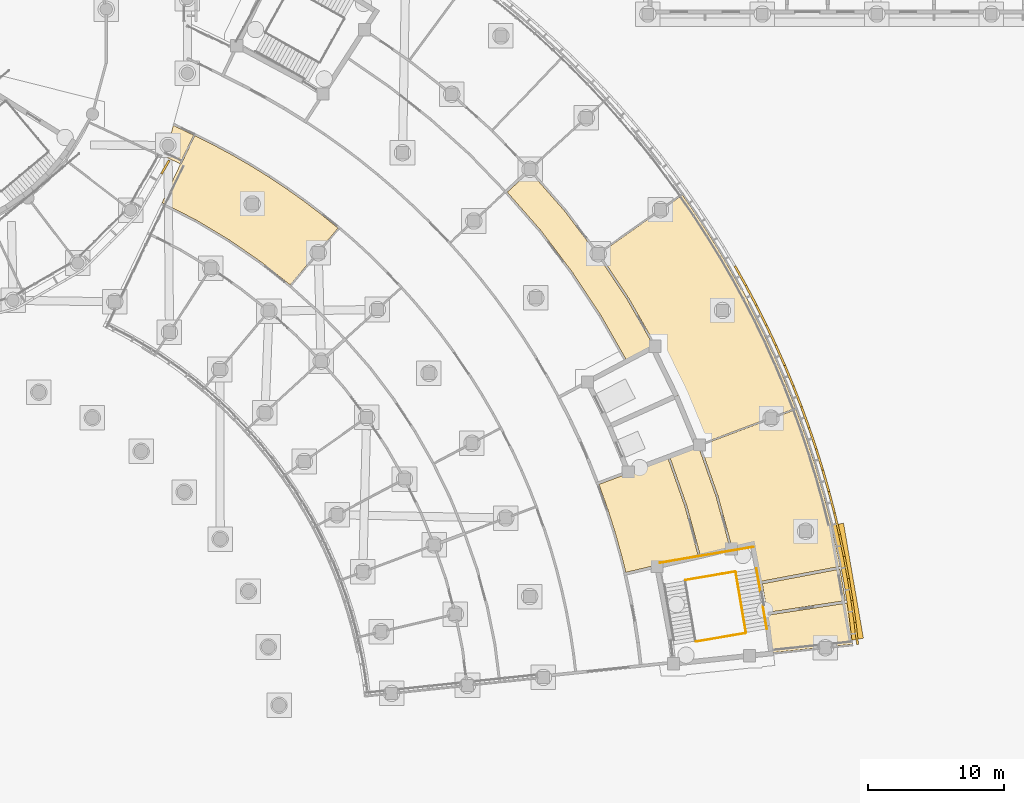
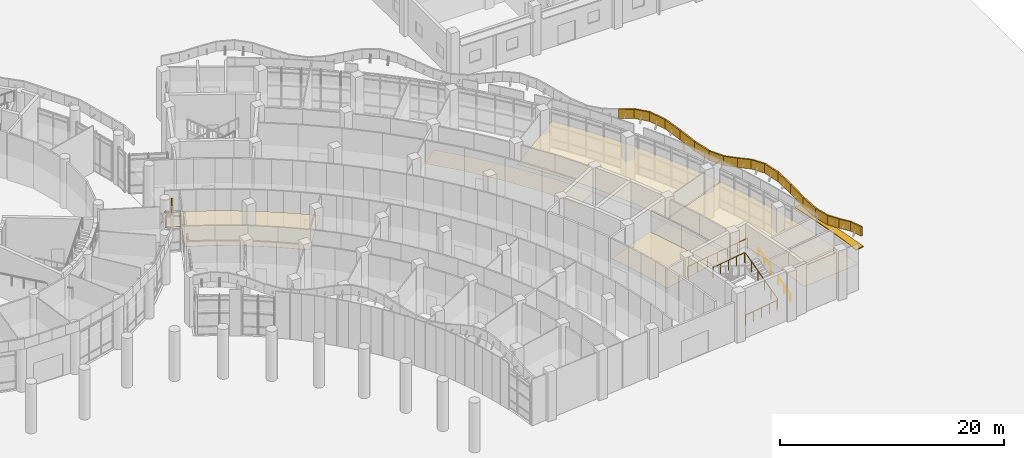
# One storey, part 133 of 146: 28 coverings, 6 railings, 1 shading device.
"""IFC4 building model written with IfcOpenShell, lengths in metres."""

from ifc_helpers import new_model, si_unit, direction, frame, origin, origin_2d, place, context, subcontext, project, spatial, polyline, circle, outline, extrude, material, layer, layer_set, type_object, element, save


model = new_model("IFC4")

# Units and contexts
model_context = context("Model", 3, precision=1e-05, world=origin(), true_north=direction((0.0, 1.0)))
body_context = subcontext(model_context, "Body", "Model", "MODEL_VIEW")
ifc_project = project(units=[si_unit("LENGTHUNIT", "METRE"), si_unit("AREAUNIT", "SQUARE_METRE"), si_unit("VOLUMEUNIT", "CUBIC_METRE"), si_unit("PLANEANGLEUNIT", "RADIAN"), si_unit("MASSUNIT", "GRAM", prefix="KILO")], contexts=[model_context])

# Site, building, storey
site_placement = place(None, origin())
site = spatial("IfcSite", under=ifc_project, at=site_placement, CompositionType="ELEMENT")
building_placement = place(site_placement, origin())
building = spatial("IfcBuilding", under=site, at=building_placement, Name="Bougainvillea Quay General Hospital", CompositionType="ELEMENT")
storey_placement = place(building_placement, origin())
storey = spatial("IfcBuildingStorey", under=building, at=storey_placement, Name="L00", CompositionType="ELEMENT", Elevation=0.0)

# Coverings
ifc_material_1 = material(Name="Powder-coated aluminium fascia, white", Category="aluminium")
ifc_layer_1 = layer(ifc_material_1, 0.14990234375)
ifc_layer_set_1 = layer_set([ifc_layer_1], Name="Powder-coated aluminium fascia, white")
covering_type_1 = type_object("IfcCoveringType", Name="Aluminium fascia band white 150x1100", PredefinedType="CLADDING", material=ifc_layer_set_1)
covering_1_placement = place(storey_placement, frame((128.05615234375, 63.919921875, 4.85009765625), z_axis=(0.0, 0.0, 1.0), x_axis=(0.499894466757, 0.866086324858, 0.0)))
element("IfcCovering", 1, at=covering_1_placement, inside=storey, type_object=covering_type_1, Name="Fascia band white e1 42", PredefinedType="CLADDING", context=body_context, shape_type="SweptSolid", body=[
    extrude(outline(polyline([(0.0, 0.0), (1.1467264105144213, 0.0), (1.1467399248169607, -0.14995740383758843), (1.351430253937469e-05, -0.1499574038375884), (0.0, 0.0)])), origin(), (0.0, 0.0, 1.0), 1.10009765625),
])
ifc_material_2 = material(Name="Powder-coated aluminium fascia, red", Category="aluminium")
ifc_layer_2 = layer(ifc_material_2, 0.14990234375)
ifc_layer_set_2 = layer_set([ifc_layer_2], Name="Powder-coated aluminium fascia, red")
covering_type_2 = type_object("IfcCoveringType", Name="Aluminium wave fascia ribbon red 150x1000", PredefinedType="CLADDING", material=ifc_layer_set_2)
covering_2_placement = place(storey_placement, frame((179.114990234375, 29.351806640625, 5.67919921875), z_axis=(-0.024847866265, 0.2086138615, 0.977682382132), x_axis=(-0.113501917288, 0.971071757644, -0.210087972711)))
element("IfcCovering", 2, at=covering_2_placement, inside=storey, type_object=covering_type_2, Name="Fascia ribbon red a23 1", PredefinedType="CLADDING", context=body_context, shape_type="SweptSolid", body=[
    extrude(outline(polyline([(0.0, 0.0), (1.6648788398426373, 4.7460950100552957e-17), (1.6667559363466942, -0.1501579498481428), (-7.081903155474467e-05, -0.1499311281894872), (0.0, 0.0)])), origin(), (-0.210087972711, -0.000450987914, 0.977682382132), 1.0),
])
covering_3_placement = place(storey_placement, frame((178.926025390625, 30.968505859375, 5.328857421875), z_axis=(-0.048025355486, 0.339807311783, 0.939268095961), x_axis=(-0.130588688823, 0.930145815351, -0.343184143771)))
element("IfcCovering", 3, at=covering_3_placement, inside=storey, type_object=covering_type_2, Name="Fascia ribbon red a23 2", PredefinedType="CLADDING", context=body_context, shape_type="SweptSolid", body=[
    extrude(outline(polyline([(0.0, 0.0), (1.7367686150003805, -5.865533753146579e-17), (1.7387866274864954, -0.14991080137799934), (-0.0017595540041232228, -0.15016095793298084), (0.0, 0.0)])), origin(), (-0.343184143771, -0.000295592138, 0.939268095961), 1.0),
])
covering_4_placement = place(storey_placement, frame((178.69921875, 32.583984375, 4.732177734375), z_axis=(-0.04747635623, 0.289152481161, 0.956105035149), x_axis=(-0.154954864711, 0.943464799723, -0.293024165531)))
element("IfcCovering", 4, at=covering_4_placement, inside=storey, type_object=covering_type_2, Name="Fascia ribbon red a23 3", PredefinedType="CLADDING", context=body_context, shape_type="SweptSolid", body=[
    extrude(outline(polyline([(0.0, 0.0), (1.7063321530434803, -9.020562075079397e-17), (1.7080034479535438, -0.14994650069785082), (-0.0016849181729323508, -0.1499139479563496), (0.0, 0.0)])), origin(), (-0.293024165531, 1.3312677e-05, 0.956105035149), 1.0),
])
covering_5_placement = place(storey_placement, frame((178.434814453125, 34.19384765625, 4.23193359375), z_axis=(-0.012380657146, 0.070278785852, 0.997450555961), x_axis=(-0.184377594412, 0.980261796261, -0.071356243389)))
element("IfcCovering", 5, at=covering_5_placement, inside=storey, type_object=covering_type_2, Name="Fascia ribbon red a23 4", PredefinedType="CLADDING", context=body_context, shape_type="SweptSolid", body=[
    extrude(outline(polyline([(0.0, 0.0), (1.6353060467984661, -9.608741753652783e-18), (1.6371379179314511, -0.15014046969464723), (-0.0018654038611861101, -0.14994341620119297), (0.0, 0.0)])), origin(), (-0.071356243389, 0.000821548261, 0.997450555961), 1.0),
])
covering_6_placement = place(storey_placement, frame((178.13330078125, 35.796875, 4.115234375), z_axis=(0.041738978288, -0.195977546491, 0.97971968387), x_axis=(-0.203376757563, 0.958378095696, 0.200372952698)))
element("IfcCovering", 6, at=covering_6_placement, inside=storey, type_object=covering_type_2, Name="Fascia ribbon red a23 5", PredefinedType="CLADDING", context=body_context, shape_type="SweptSolid", body=[
    extrude(outline(polyline([(0.0, 0.0), (1.6650274957393338, 2.642742795433417e-19), (1.666921718906262, -0.14989649376142436), (-0.001677931685463188, -0.1501422244201772), (0.0, 0.0)])), origin(), (0.200372952698, 0.000144444567, 0.97971968387), 1.0),
])
covering_7_placement = place(storey_placement, frame((177.794677734375, 37.392578125, 4.449462890625), z_axis=(0.078592949535, -0.332145468708, 0.939948155964), x_axis=(-0.216468731747, 0.914682362468, 0.34131724827)))
element("IfcCovering", 7, at=covering_7_placement, inside=storey, type_object=covering_type_2, Name="Fascia ribbon red a23 6", PredefinedType="CLADDING", context=body_context, shape_type="SweptSolid", body=[
    extrude(outline(polyline([(0.0, 0.0), (1.7356836976533712, 1.0393433075989167e-16), (1.7374329917298645, -0.15015548002051649), (-0.001759424591766695, -0.14989970466027527), (0.0, 0.0)])), origin(), (0.34131724827, -1.1523612e-05, 0.939948155964), 1.0),
])
covering_8_placement = place(storey_placement, frame((177.4189453125, 38.980224609375, 5.04248046875), z_axis=(0.075320437459, -0.28913329218, 0.954321104794), x_axis=(-0.241257851947, 0.923321972178, 0.298782838475)))
element("IfcCovering", 8, at=covering_8_placement, inside=storey, type_object=covering_type_2, Name="Fascia ribbon red a23 7", PredefinedType="CLADDING", context=body_context, shape_type="SweptSolid", body=[
    extrude(outline(polyline([(0.0, 0.0), (1.709202011276128, -1.83772268236293e-17), (1.7109378069218992, -0.15007131386424535), (-0.0019474734880621626, -0.15015210131491222), (0.0, 0.0)])), origin(), (0.298782838475, -0.000210662138, 0.954321104794), 1.0),
])
covering_9_placement = place(storey_placement, frame((177.006591796875, 40.558349609375, 5.553466796875), z_axis=(0.02283246965, -0.079778540404, 0.996551083899), x_axis=(-0.274128190322, 0.958106360553, 0.082981546976)))
element("IfcCovering", 9, at=covering_9_placement, inside=storey, type_object=covering_type_2, Name="Fascia ribbon red a23 8", PredefinedType="CLADDING", context=body_context, shape_type="SweptSolid", body=[
    extrude(outline(polyline([(0.0, 0.0), (1.6369491200367212, 3.20169983732653e-17), (1.6387653660201271, -0.14983637891848203), (-0.0017931607547173115, -0.15006978383307026), (0.0, 0.0)])), origin(), (0.082981546976, 6.387491e-06, 0.996551083899), 1.0),
])
covering_10_placement = place(storey_placement, frame((176.557861328125, 42.126708984375, 5.689208984375), z_axis=(-0.057657121616, 0.181946803284, 0.981616532614), x_axis=(-0.291930006762, 0.937202611975, -0.190861560453)))
element("IfcCovering", 10, at=covering_10_placement, inside=storey, type_object=covering_type_2, Name="Fascia ribbon red a23 9", PredefinedType="CLADDING", context=body_context, shape_type="SweptSolid", body=[
    extrude(outline(polyline([(0.0, 0.0), (1.6617210820935506, 4.174178364069192e-18), (1.6636186001323174, -0.14992233996118112), (-0.0017306902805842251, -0.1498382611154719), (0.0, 0.0)])), origin(), (-0.190861560453, -0.000920673465, 0.981616532614), 1.0),
])
covering_11_placement = place(storey_placement, frame((176.07275390625, 43.68408203125, 5.37158203125), z_axis=(-0.108469594029, 0.321268721246, 0.940755417694), x_axis=(-0.30057437743, 0.89144591331, -0.339085870062)))
element("IfcCovering", 11, at=covering_11_placement, inside=storey, type_object=covering_type_2, Name="Fascia ribbon red a23 10", PredefinedType="CLADDING", context=body_context, shape_type="SweptSolid", body=[
    extrude(outline(polyline([(0.0, 0.0), (1.734101707519636, -2.5099280293039428e-17), (1.7359688069099306, -0.15001428183356486), (-0.0017524342042170118, -0.1499256445190418), (0.0, 0.0)])), origin(), (-0.339085870062, -0.000129630439, 0.940755417694), 1.0),
])
covering_12_placement = place(storey_placement, frame((175.551513671875, 45.22998046875, 4.783203125), z_axis=(-0.104003444039, 0.286009471107, 0.952565937909), x_axis=(-0.325200818325, 0.895335861776, -0.304332256553)))
element("IfcCovering", 12, at=covering_12_placement, inside=storey, type_object=covering_type_2, Name="Fascia ribbon red a23 11", PredefinedType="CLADDING", context=body_context, shape_type="SweptSolid", body=[
    extrude(outline(polyline([(0.0, 0.0), (1.7124613394270112, -2.6291902682773483e-17), (1.714391533758437, -0.1500333761900524), (-0.001824208789350895, -0.15001384401359194), (0.0, 0.0)])), origin(), (-0.304332256553, -0.000107499144, 0.952565937909), 1.0),
])
covering_13_placement = place(storey_placement, frame((174.99462890625, 46.76318359375, 4.26171875), z_axis=(-0.034369138517, 0.088037278753, 0.995524083017), x_axis=(-0.361442215091, 0.927592436708, -0.094508182254)))
element("IfcCovering", 13, at=covering_13_placement, inside=storey, type_object=covering_type_2, Name="Fascia ribbon red a23 12", PredefinedType="CLADDING", context=body_context, shape_type="SweptSolid", body=[
    extrude(outline(polyline([(0.0, 0.0), (1.6386639434329502, -1.0489994831976157e-16), (1.640475150958146, -0.15005134835922404), (-0.0016201716537988557, -0.1500364511093289), (0.0, 0.0)])), origin(), (-0.094508182254, -6.0163902e-05, 0.995524083017), 1.0),
])
covering_14_placement = place(storey_placement, frame((174.40234375, 48.283203125, 4.10693359375), z_axis=(0.069623926278, -0.167067983774, 0.983484009879), x_axis=(-0.378263081172, 0.907831393615, 0.180995033602)))
element("IfcCovering", 14, at=covering_14_placement, inside=storey, type_object=covering_type_2, Name="Fascia ribbon red a23 13", PredefinedType="CLADDING", context=body_context, shape_type="SweptSolid", body=[
    extrude(outline(polyline([(0.0, 0.0), (1.6587558705474303, -1.0080369698683977e-16), (1.6604808175249182, -0.1501464851498133), (-0.0017064772388367098, -0.15005258337905428), (0.0, 0.0)])), origin(), (0.180995033602, 1.1135714e-05, 0.983484009879), 1.0),
])
covering_15_placement = place(storey_placement, frame((173.77490234375, 49.7890625, 4.40771484375), z_axis=(0.137263583654, -0.307299813581, 0.941661050047), x_axis=(-0.382235630159, 0.860593923671, 0.336562062)))
element("IfcCovering", 15, at=covering_15_placement, inside=storey, type_object=covering_type_2, Name="Fascia ribbon red a23 14", PredefinedType="CLADDING", context=body_context, shape_type="SweptSolid", body=[
    extrude(outline(polyline([(0.0, 0.0), (1.7322069655716972, -2.3310346708438345e-18), (1.7339929644302543, -0.1500953611869495), (-0.001916136175298956, -0.15014576944040897), (0.0, 0.0)])), origin(), (0.336562062, 0.000667268142, 0.941661050047), 1.0),
])
covering_16_placement = place(storey_placement, frame((173.11279296875, 51.27978515625, 4.9912109375), z_axis=(0.131495998975, -0.280081871001, 0.950927414575), x_axis=(-0.406032710856, 0.859884183713, 0.309413361566)))
element("IfcCovering", 16, at=covering_16_placement, inside=storey, type_object=covering_type_2, Name="Fascia ribbon red a23 15", PredefinedType="CLADDING", context=body_context, shape_type="SweptSolid", body=[
    extrude(outline(polyline([(0.0, 0.0), (1.7154531762961753, 3.0899761915836876e-18), (1.7174324314501688, -0.14990478250355443), (-0.0018214748684891374, -0.15009493361305823), (0.0, 0.0)])), origin(), (0.309413361566, -0.000651071604, 0.950927414575), 1.0),
])
covering_17_placement = place(storey_placement, frame((172.416259765625, 52.7548828125, 5.5224609375), z_axis=(0.047473521765, -0.094602408162, 0.99438254666), x_axis=(-0.445415581153, 0.88904533849, 0.105845860455)))
element("IfcCovering", 17, at=covering_17_placement, inside=storey, type_object=covering_type_2, Name="Fascia ribbon red a23 16", PredefinedType="CLADDING", context=body_context, shape_type="SweptSolid", body=[
    extrude(outline(polyline([(0.0, 0.0), (1.640513206375313, -3.004764677089905e-17), (1.6423734905562186, -0.15001897763665514), (-0.0016655396980485503, -0.14990699655169315), (0.0, 0.0)])), origin(), (0.105845860455, 6.8726616e-05, 0.99438254666), 1.0),
])
covering_18_placement = place(storey_placement, frame((171.685546875, 54.21337890625, 5.696044921875), z_axis=(-0.0802970135, 0.150991784485, 0.98526842568), x_axis=(-0.461557268821, 0.870470447627, -0.171014874812)))
element("IfcCovering", 18, at=covering_18_placement, inside=storey, type_object=covering_type_2, Name="Fascia ribbon red a23 17", PredefinedType="CLADDING", context=body_context, shape_type="SweptSolid", body=[
    extrude(outline(polyline([(0.0, 0.0), (1.6556246480792052, 4.119968255444917e-18), (1.6576218231353679, -0.1499985384335878), (-0.0016378460499211326, -0.15002156690737198), (0.0, 0.0)])), origin(), (-0.171014874812, -0.000204821623, 0.98526842568), 1.0),
])
covering_19_placement = place(storey_placement, frame((170.92138671875, 55.654541015625, 5.412353515625), z_axis=(-0.164045805078, 0.290555501598, 0.942691081069), x_axis=(-0.46089866017, 0.822338050047, -0.333665336077)))
element("IfcCovering", 19, at=covering_19_placement, inside=storey, type_object=covering_type_2, Name="Fascia ribbon red a23 18", PredefinedType="CLADDING", context=body_context, shape_type="SweptSolid", body=[
    extrude(outline(polyline([(0.0, 0.0), (1.7305378262495072, -1.2663481374630692e-16), (1.7323606109580196, -0.1501586397551958), (-0.0016688596376697885, -0.15000415224018218), (0.0, 0.0)])), origin(), (-0.333665336077, -0.000984466074, 0.942691081069), 1.0),
])

# Railings
ifc_material_3 = material(Name="Stainless steel 304 balustrade", Category="steel")
railing_type_1 = type_object("IfcRailingType", Name="Stair guard 1100", PredefinedType="GUARDRAIL", material=ifc_material_3)
railing_1_placement = place(storey_placement, frame((170.99755859375, 30.240966796875, 0.158935546875)))
element("IfcRailing", 20, at=railing_1_placement, inside=storey, type_object=railing_type_1, Name="L00 ST-E2 stair guard 1", PredefinedType="GUARDRAIL", context=body_context, shape_type="SweptSolid", body=[
    extrude(circle(Radius=0.02392578125, at=origin_2d()), frame((0.0, 0.0, 1.076171875), z_axis=(-0.145903218604, 0.857501372498, 0.493359551407), x_axis=(-0.985831525251, -0.167738498326, 0.0)), (0.0, 0.0, 1.0), 5.150390625),
    extrude(circle(Radius=0.02099609375, at=origin_2d()), origin(), (0.0, 0.0, 1.0), 1.052001953125),
    extrude(circle(Radius=0.02099609375, at=origin_2d()), frame((-0.150390625, 0.88330078125, 0.50830078125)), (0.0, 0.0, 1.0), 1.052001953125),
    extrude(circle(Radius=0.02099609375, at=origin_2d()), frame((-0.300537109375, 1.7666015625, 1.016357421875)), (0.0, 0.0, 1.0), 1.052001953125),
    extrude(circle(Radius=0.02099609375, at=origin_2d()), frame((-0.450927734375, 2.64990234375, 1.524658203125)), (0.0, 0.0, 1.0), 1.052001953125),
    extrude(circle(Radius=0.02099609375, at=origin_2d()), frame((-0.60107421875, 3.533203125, 2.03271484375)), (0.0, 0.0, 1.0), 1.052001953125),
    extrude(circle(Radius=0.02099609375, at=origin_2d()), frame((-0.75146484375, 4.41650390625, 2.541015625)), (0.0, 0.0, 1.0), 1.052001953125),
])
railing_2_placement = place(storey_placement, frame((170.1884765625, 34.698486328125, 2.699951171875)))
element("IfcRailing", 21, at=railing_2_placement, inside=storey, type_object=railing_type_1, Name="L00 ST-E2 stair guard 2", PredefinedType="GUARDRAIL", context=body_context, shape_type="SweptSolid", body=[
    extrude(circle(Radius=0.02392578125, at=origin_2d()), frame((0.0, 0.0, 1.076171875), z_axis=(-0.985825397362, -0.167774509137, 0.0), x_axis=(0.167774509137, -0.985825397362, 0.0)), (0.0, 0.0, 1.0), 3.658203125),
    extrude(circle(Radius=0.02099609375, at=origin_2d()), origin(), (0.0, 0.0, 1.0), 1.052001953125),
    extrude(circle(Radius=0.02099609375, at=origin_2d()), frame((-0.901611328125, -0.1533203125, 0.0)), (0.0, 0.0, 1.0), 1.052001953125),
    extrude(circle(Radius=0.02099609375, at=origin_2d()), frame((-1.80322265625, -0.306884765625, 0.0)), (0.0, 0.0, 1.0), 1.052001953125),
    extrude(circle(Radius=0.02099609375, at=origin_2d()), frame((-2.704833984375, -0.46044921875, 0.0)), (0.0, 0.0, 1.0), 1.052001953125),
    extrude(circle(Radius=0.02099609375, at=origin_2d()), frame((-3.6064453125, -0.61376953125, 0.0)), (0.0, 0.0, 1.0), 1.052001953125),
])
railing_3_placement = place(storey_placement, frame((171.55322265625, 36.51416015625, 2.699951171875)))
element("IfcRailing", 22, at=railing_3_placement, inside=storey, type_object=railing_type_1, Name="L00 ST-E2 stair guard 3", PredefinedType="GUARDRAIL", context=body_context, shape_type="SweptSolid", body=[
    extrude(circle(Radius=0.02392578125, at=origin_2d()), frame((0.0, 0.0, 1.076171875), z_axis=(-0.985829689337, -0.167749287992, 0.0), x_axis=(0.167749287992, -0.985829689337, 0.0)), (0.0, 0.0, 1.0), 6.958251953125),
    extrude(circle(Radius=0.02099609375, at=origin_2d()), origin(), (0.0, 0.0, 1.0), 1.052001953125),
    extrude(circle(Radius=0.02099609375, at=origin_2d()), frame((-1.143310546875, -0.194580078125, 0.0)), (0.0, 0.0, 1.0), 1.052001953125),
    extrude(circle(Radius=0.02099609375, at=origin_2d()), frame((-2.28662109375, -0.38916015625, 0.0)), (0.0, 0.0, 1.0), 1.052001953125),
    extrude(circle(Radius=0.02099609375, at=origin_2d()), frame((-3.4296875, -0.58349609375, 0.0)), (0.0, 0.0, 1.0), 1.052001953125),
    extrude(circle(Radius=0.02099609375, at=origin_2d()), frame((-4.572998046875, -0.778076171875, 0.0)), (0.0, 0.0, 1.0), 1.052001953125),
    extrude(circle(Radius=0.02099609375, at=origin_2d()), frame((-5.71630859375, -0.97265625, 0.0)), (0.0, 0.0, 1.0), 1.052001953125),
    extrude(circle(Radius=0.02099609375, at=origin_2d()), frame((-6.859619140625, -1.167236328125, 0.0)), (0.0, 0.0, 1.0), 1.052001953125),
])
railing_4_placement = place(storey_placement, frame((170.95654296875, 30.183349609375, 0.0)))
element("IfcRailing", 23, at=railing_4_placement, inside=storey, type_object=railing_type_1, Name="L00 ST-E2 stair guard 5", PredefinedType="GUARDRAIL", context=body_context, shape_type="SweptSolid", body=[
    extrude(circle(Radius=0.02392578125, at=origin_2d()), frame((0.0, 0.0, 1.076171875), z_axis=(-0.98582351867, -0.167785547758, 0.0), x_axis=(0.167785547758, -0.98582351867, 0.0)), (0.0, 0.0, 1.0), 3.657958984375),
    extrude(circle(Radius=0.02099609375, at=origin_2d()), origin(), (0.0, 0.0, 1.0), 1.052001953125),
    extrude(circle(Radius=0.02099609375, at=origin_2d()), frame((-0.901611328125, -0.1533203125, 0.0)), (0.0, 0.0, 1.0), 1.052001953125),
    extrude(circle(Radius=0.02099609375, at=origin_2d()), frame((-1.80322265625, -0.306884765625, 0.0)), (0.0, 0.0, 1.0), 1.052001953125),
    extrude(circle(Radius=0.02099609375, at=origin_2d()), frame((-2.70458984375, -0.46044921875, 0.0)), (0.0, 0.0, 1.0), 1.052001953125),
    extrude(circle(Radius=0.02099609375, at=origin_2d()), frame((-3.606201171875, -0.61376953125, 0.0)), (0.0, 0.0, 1.0), 1.052001953125),
])
ifc_material_4 = material(Name="Stainless steel 304 handrail", Category="steel")
railing_type_2 = type_object("IfcRailingType", Name="Stair handrail 900", PredefinedType="HANDRAIL", material=ifc_material_4)
railing_5_placement = place(storey_placement, frame((172.525634765625, 30.5009765625, 0.158935546875)))
element("IfcRailing", 24, at=railing_5_placement, inside=storey, type_object=railing_type_2, Name="L00 ST-E2 stair handrail 1", PredefinedType="HANDRAIL", context=body_context, shape_type="SweptSolid", body=[
    extrude(circle(Radius=0.02392578125, at=origin_2d()), frame((0.0, 0.0, 0.8759765625), z_axis=(-0.145934082304, 0.857502220236, 0.493348949439), x_axis=(-0.98582568464, -0.167772821114, 0.0)), (0.0, 0.0, 1.0), 1.968994140625),
    extrude(circle(Radius=0.02099609375, at=origin_2d()), origin(), (0.0, 0.0, 1.0), 0.851806640625),
    extrude(circle(Radius=0.02099609375, at=origin_2d()), frame((-0.1435546875, 0.84423828125, 0.48583984375)), (0.0, 0.0, 1.0), 0.851806640625),
    extrude(circle(Radius=0.02099609375, at=origin_2d()), frame((-0.287353515625, 1.6884765625, 0.971435546875)), (0.0, 0.0, 1.0), 0.851806640625),
])
railing_6_placement = place(storey_placement, frame((172.060546875, 33.234619140625, 1.731689453125)))
element("IfcRailing", 25, at=railing_6_placement, inside=storey, type_object=railing_type_2, Name="L00 ST-E2 stair handrail 1", PredefinedType="HANDRAIL", context=body_context, shape_type="SweptSolid", body=[
    extrude(circle(Radius=0.02392578125, at=origin_2d()), frame((0.0, 0.0, 0.8759765625), z_axis=(-0.145921559236, 0.857491311008, 0.493371614603), x_axis=(-0.985827712784, -0.167760903394, 0.0)), (0.0, 0.0, 1.0), 1.962646484375),
    extrude(circle(Radius=0.02099609375, at=origin_2d()), origin(), (0.0, 0.0, 1.0), 0.851806640625),
    extrude(circle(Radius=0.02099609375, at=origin_2d()), frame((-0.14306640625, 0.84130859375, 0.484130859375)), (0.0, 0.0, 1.0), 0.851806640625),
    extrude(circle(Radius=0.02099609375, at=origin_2d()), frame((-0.286376953125, 1.682861328125, 0.96826171875)), (0.0, 0.0, 1.0), 0.851806640625),
])

# Shading device
ifc_material_5 = material(Name="Powder-coated aluminium canopy soffit and fascia, white", Category="aluminium")
ifc_layer_3 = layer(ifc_material_5, 0.10009765625)
ifc_layer_set_3 = layer_set([ifc_layer_3], Name="Powder-coated aluminium canopy soffit and fascia, white")
shading_device_type = type_object("IfcShadingDeviceType", Name="Sunshade 100", PredefinedType="USERDEFINED", material=ifc_layer_set_3)
shading_device_placement = place(storey_placement, frame((0.0, 0.0, 4.050048828125)))
element("IfcShadingDevice", 26, at=shading_device_placement, inside=storey, type_object=shading_device_type, Name="Sunshade 0", ObjectType="Sunshade", PredefinedType="USERDEFINED", context=body_context, shape_type="SweptSolid", body=[
    extrude(outline(polyline([(178.159423828125, 38.252197265625), (177.318359375, 38.10693359375), (177.381103515625, 37.85498046875), (177.839111328125, 35.738037109375), (178.23095703125, 33.60791015625), (178.556884765625, 31.467041015625), (178.7744140625, 29.669677734375), (179.616455078125, 29.815185546875), (178.159423828125, 38.252197265625)])), origin(), (0.0, 0.0, 1.0), 0.099853515625),
])

# Coverings
ifc_material_6 = material(Name="Mineral fibre ceiling tile")
ifc_layer_4 = layer(ifc_material_6, 0.030029296875)
ifc_layer_set_4 = layer_set([ifc_layer_4], Name="Mineral fibre ceiling tile")
covering_type_3 = type_object("IfcCoveringType", Name="Suspended ceiling mineral fibre tile", PredefinedType="CEILING", material=ifc_layer_set_4)
covering_20_placement = place(storey_placement, frame((0.0, 0.0, 2.699951171875)))
element("IfcCovering", 27, at=covering_20_placement, inside=storey, type_object=covering_type_3, Name="Ceiling Stair Exit Passage ST-E2", PredefinedType="CEILING", context=body_context, shape_type="SweptSolid", body=[
    extrude(outline(polyline([(177.898193359375, 34.877685546875), (177.8974609375, 34.880859375), (172.2021484375, 33.804931640625), (172.55908203125, 31.70361328125), (178.291015625, 32.573486328125), (178.29052734375, 32.577392578125), (178.293701171875, 32.57763671875), (177.902099609375, 34.878662109375), (177.898193359375, 34.877685546875)])), origin(), (0.0, 0.0, 1.0), 0.030029296875),
])
covering_21_placement = place(storey_placement, frame((0.0, 0.0, 2.39990234375)))
element("IfcCovering", 28, at=covering_21_placement, inside=storey, type_object=covering_type_3, Name="Ceiling Clinic Corridor 00E1", PredefinedType="CEILING", context=body_context, shape_type="SweptSolid", body=[
    extrude(outline(polyline([(153.48828125, 62.53759765625), (155.8994140625, 59.785888671875), (155.903564453125, 59.7890625), (155.947265625, 59.7314453125), (155.994873046875, 59.677001953125), (155.990966796875, 59.673583984375), (158.21435546875, 56.7314453125), (158.21826171875, 56.73388671875), (158.25830078125, 56.67333984375), (158.302001953125, 56.615478515625), (158.29833984375, 56.612548828125), (160.329833984375, 53.5361328125), (160.333984375, 53.538330078125), (160.369873046875, 53.475341796875), (160.409912109375, 53.414794921875), (160.406005859375, 53.412109375), (162.24755859375, 50.191650390625), (164.082763671875, 51.165771484375), (164.171875, 51.211181640625), (165.074462890625, 49.44189453125), (165.075927734375, 49.442626953125), (165.119140625, 49.354248046875), (165.117919921875, 49.353515625), (165.920654296875, 47.64501953125), (165.922119140625, 47.645751953125), (165.96240234375, 47.555908203125), (165.961181640625, 47.555419921875), (166.710693359375, 45.8232421875), (166.712158203125, 45.823974609375), (166.749755859375, 45.73291015625), (166.748291015625, 45.732421875), (167.422119140625, 44.023681640625), (167.459228515625, 44.03759765625), (166.010498046875, 47.63232421875), (164.2607421875, 51.201904296875), (162.2861328125, 54.653564453125), (160.095703125, 57.97265625), (157.69873046875, 61.14453125), (155.143798828125, 64.05908203125), (153.48828125, 62.53759765625)])), origin(), (0.0, 0.0, 1.0), 0.030029296875),
])
covering_22_placement = place(storey_placement, frame((0.0, 0.0, 2.699951171875)))
element("IfcCovering", 29, at=covering_22_placement, inside=storey, type_object=covering_type_3, Name="Ceiling Endocrinology Examination Room 00E112", PredefinedType="CEILING", context=body_context, shape_type="SweptSolid", body=[
    extrude(outline(polyline([(170.72802734375, 55.365966796875), (170.684326171875, 55.341552734375), (169.604736328125, 57.2607421875), (168.465576171875, 59.1435546875), (167.2685546875, 60.9892578125), (166.343505859375, 62.326904296875), (160.24853515625, 58.019287109375), (160.261962890625, 58.00146484375), (160.25830078125, 57.99853515625), (162.373779296875, 54.79296875), (162.3779296875, 54.79541015625), (162.413818359375, 54.732421875), (162.453857421875, 54.671630859375), (162.449951171875, 54.669189453125), (164.357177734375, 51.335205078125), (164.361328125, 51.33740234375), (164.393310546875, 51.272216796875), (164.429443359375, 51.209228515625), (164.42529296875, 51.206787109375), (166.11572265625, 47.758544921875), (166.12060546875, 47.760498046875), (166.1474609375, 47.693603515625), (166.179443359375, 47.628662109375), (166.174560546875, 47.62646484375), (167.599853515625, 44.090087890625), (167.604736328125, 44.090087890625), (167.62060546875, 44.044677734375), (174.640869140625, 46.68798828125), (173.955810546875, 48.440185546875), (173.09228515625, 50.462646484375), (172.166015625, 52.456298828125), (171.17626953125, 54.421630859375), (171.220947265625, 54.444091796875), (170.72802734375, 55.365966796875)])), origin(), (0.0, 0.0, 1.0), 0.030029296875),
])
covering_23_placement = place(storey_placement, frame((0.0, 0.0, 2.39990234375)))
element("IfcCovering", 30, at=covering_23_placement, inside=storey, type_object=covering_type_3, Name="Ceiling Clinic Corridor 00E1", PredefinedType="CEILING", context=body_context, shape_type="SweptSolid", body=[
    extrude(outline(polyline([(167.402099609375, 43.801513671875), (167.400146484375, 43.8017578125), (167.3828125, 43.8486328125), (165.40869140625, 43.105224609375), (166.634765625, 39.604736328125), (166.639892578125, 39.60595703125), (166.65869140625, 39.5361328125), (166.6826171875, 39.468017578125), (166.677734375, 39.46630859375), (167.64697265625, 35.884521484375), (169.8359375, 36.403076171875), (168.810302734375, 40.19287109375), (167.52978515625, 43.850341796875), (167.402099609375, 43.801513671875)])), origin(), (0.0, 0.0, 1.0), 0.030029296875),
])
covering_24_placement = place(storey_placement, frame((0.0, 0.0, 2.699951171875)))
element("IfcCovering", 31, at=covering_24_placement, inside=storey, type_object=covering_type_3, Name="Ceiling Dermatology Waiting Hall 00E101", PredefinedType="CEILING", context=body_context, shape_type="SweptSolid", body=[
    extrude(outline(polyline([(160.88720703125, 39.202880859375), (160.911865234375, 39.13330078125), (160.909423828125, 39.132568359375), (161.37255859375, 37.6669921875), (161.374755859375, 37.66748046875), (161.394775390625, 37.596435546875), (161.417236328125, 37.526123046875), (161.4150390625, 37.525390625), (161.83251953125, 36.04541015625), (161.83447265625, 36.0458984375), (161.8525390625, 35.974365234375), (161.87255859375, 35.903076171875), (161.870361328125, 35.902587890625), (162.185791015625, 34.643310546875), (164.354248046875, 35.15673828125), (164.353759765625, 35.158203125), (164.54736328125, 35.202392578125), (164.547607421875, 35.20068359375), (164.54931640625, 35.201171875), (164.5595703125, 35.15380859375), (167.5009765625, 35.85009765625), (166.515380859375, 39.49169921875), (165.268310546875, 43.052490234375), (162.469970703125, 41.999755859375), (162.48779296875, 41.95458984375), (162.486328125, 41.9541015625), (162.48681640625, 41.95263671875), (162.3017578125, 41.88134765625), (162.301025390625, 41.8828125), (160.215576171875, 41.09716796875), (160.862548828125, 39.2724609375), (160.864990234375, 39.273193359375), (160.88720703125, 39.202880859375)])), origin(), (0.0, 0.0, 1.0), 0.030029296875),
])
covering_25_placement = place(storey_placement, frame((0.0, 0.0, 2.699951171875)))
element("IfcCovering", 32, at=covering_25_placement, inside=storey, type_object=covering_type_3, Name="Ceiling Dermatology Consulting Room 00E111", PredefinedType="CEILING", context=body_context, shape_type="SweptSolid", body=[
    extrude(outline(polyline([(171.5390625, 36.703857421875), (171.95654296875, 34.803955078125), (171.9580078125, 34.804443359375), (171.9775390625, 34.7080078125), (171.97607421875, 34.70751953125), (172.10986328125, 33.9912109375), (177.867919921875, 35.078857421875), (177.86767578125, 35.080810546875), (177.90625, 35.08740234375), (177.76708984375, 35.8310546875), (177.29833984375, 37.9794921875), (176.76171875, 40.111083984375), (176.1591796875, 42.2255859375), (175.48974609375, 44.320068359375), (174.676025390625, 46.59423828125), (167.656005859375, 43.950927734375), (167.673828125, 43.90625), (167.67041015625, 43.90283203125), (168.9296875, 40.3056640625), (168.934814453125, 40.306884765625), (168.95361328125, 40.2373046875), (168.9775390625, 40.1689453125), (168.97265625, 40.167236328125), (169.98193359375, 36.4375), (171.51611328125, 36.80126953125), (171.5390625, 36.703857421875)])), origin(), (0.0, 0.0, 1.0), 0.030029296875),
])
covering_26_placement = place(storey_placement, frame((0.0, 0.0, 2.699951171875)))
element("IfcCovering", 33, at=covering_26_placement, inside=storey, type_object=covering_type_3, Name="Ceiling Dermatology and Allergy Clinics", PredefinedType="CEILING", context=body_context, shape_type="SweptSolid", body=[
    extrude(outline(polyline([(178.416015625, 32.3896484375), (178.328125, 32.374755859375), (178.327880859375, 32.376708984375), (172.5341796875, 31.49755859375), (172.64501953125, 30.7763671875), (172.646728515625, 30.776611328125), (172.659912109375, 30.67919921875), (172.658447265625, 30.678955078125), (172.892822265625, 28.748779296875), (178.81005859375, 29.37158203125), (178.551025390625, 31.5029296875), (178.416015625, 32.3896484375)])), origin(), (0.0, 0.0, 1.0), 0.030029296875),
])
covering_27_placement = place(storey_placement, frame((0.0, 0.0, 2.699951171875)))
element("IfcCovering", 34, at=covering_27_placement, inside=storey, type_object=covering_type_3, Name="Ceiling Children's Outpatient Waiting Hall 00E101", PredefinedType="CEILING", context=body_context, shape_type="SweptSolid", body=[
    extrude(outline(polyline([(128.132080078125, 61.69189453125), (128.165771484375, 61.759033203125), (130.607666015625, 60.5234375), (130.6103515625, 60.52783203125), (130.67236328125, 60.49072265625), (130.73681640625, 60.4580078125), (130.734375, 60.453369140625), (133.021240234375, 59.08056640625), (133.02392578125, 59.084228515625), (133.083740234375, 59.04296875), (133.14599609375, 59.005615234375), (133.1435546875, 59.001708984375), (135.336669921875, 57.48583984375), (135.339599609375, 57.4892578125), (135.396484375, 57.4443359375), (135.456298828125, 57.403076171875), (135.45361328125, 57.399169921875), (137.54736328125, 55.747314453125), (137.55029296875, 55.7509765625), (137.567138671875, 55.73583984375), (141.073974609375, 59.897216796875), (139.76171875, 60.968017578125), (138.521484375, 61.90966796875), (137.25341796875, 62.811279296875), (135.95751953125, 63.6728515625), (134.634521484375, 64.49365234375), (133.28662109375, 65.2724609375), (131.91455078125, 66.00830078125), (130.5654296875, 66.677978515625), (129.565185546875, 64.58056640625), (129.52001953125, 64.60205078125), (128.132080078125, 61.69189453125)])), origin(), (0.0, 0.0, 1.0), 0.030029296875),
])
covering_28_placement = place(storey_placement, frame((0.0, 0.0, 2.699951171875)))
element("IfcCovering", 35, at=covering_28_placement, inside=storey, type_object=covering_type_3, Name="Ceiling East Arm Entrance Portal Lounge", PredefinedType="CEILING", context=body_context, shape_type="SweptSolid", body=[
    extrude(outline(polyline([(129.474853515625, 64.62353515625), (130.4755859375, 66.721923828125), (128.9931640625, 67.42919921875), (128.60107421875, 65.964111328125), (128.18310546875, 65.239990234375), (129.474853515625, 64.62353515625)])), origin(), (0.0, 0.0, 1.0), 0.030029296875),
])

save(model, "model.ifc")
